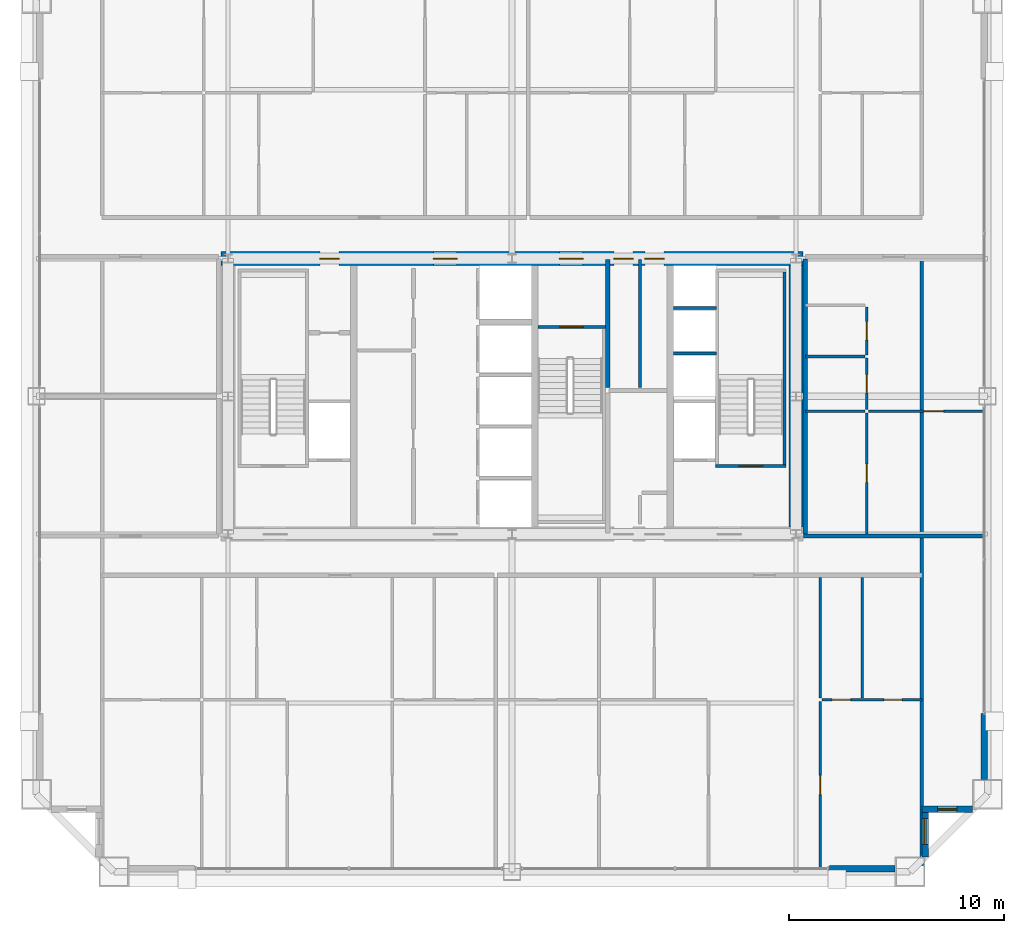
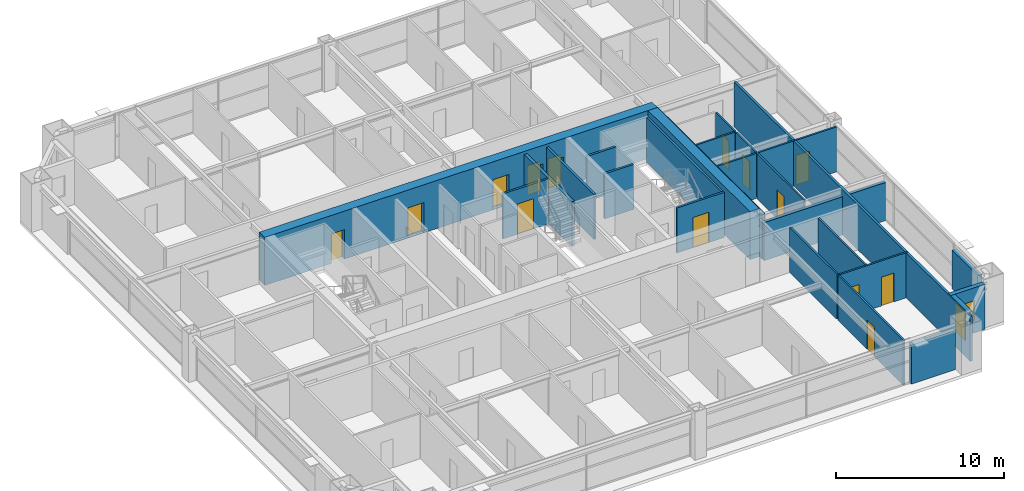
# One storey, part 35 of 38: 26 walls, 14 doors, 2 windows, 16 openings.
"""IFC4 building model written with IfcOpenShell, lengths in metres."""

from ifc_helpers import new_model, si_unit, direction, frame, frame_2d, origin, place, context, subcontext, project, spatial, rectangle, extrude, source, transform, mapped, material, layer, layer_set, type_object, element, fill, save


model = new_model("IFC4")

# Units and contexts
model_context = context("Model", 3, precision=1e-05, world=origin(), true_north=direction((0.0, 1.0)))
body_context = subcontext(model_context, "Body", "Model", "MODEL_VIEW")
ifc_project = project(units=[si_unit("LENGTHUNIT", "METRE"), si_unit("AREAUNIT", "SQUARE_METRE"), si_unit("VOLUMEUNIT", "CUBIC_METRE"), si_unit("PLANEANGLEUNIT", "RADIAN"), si_unit("MASSUNIT", "GRAM", prefix="KILO"), si_unit("THERMODYNAMICTEMPERATUREUNIT", "KELVIN"), si_unit("POWERUNIT", "WATT")], contexts=[model_context])

# Site, building, storey
site_placement = place(None, origin())
site = spatial("IfcSite", under=ifc_project, at=site_placement, CompositionType="ELEMENT")
building_placement = place(site_placement, origin())
building = spatial("IfcBuilding", under=site, at=building_placement, Name="Yuzanri Waterfront Tower", CompositionType="ELEMENT")
storey_placement = place(building_placement, frame((0.0, 0.0, 195.0)))
storey = spatial("IfcBuildingStorey", under=building, at=storey_placement, Name="L51", CompositionType="ELEMENT", Elevation=195.0)

# Wall, openings, doors
ifc_material_1 = material(Name="Moisture-Resistant Gypsum Stud Wall", Category="gypsum")
ifc_layer_1 = layer(ifc_material_1, 0.1201171875)
ifc_layer_set_1 = layer_set([ifc_layer_1], Name="Moisture-Resistant Gypsum Stud Wall")
wall_type_1 = type_object("IfcWallType", Name="Bathroom and Kitchen Wet Partition 120", PredefinedType="PARTITIONING", material=ifc_layer_set_1)
wall_1_placement = place(storey_placement, frame((51.4130859375, 11.699951171875, 0.0), z_axis=(0.0, 0.0, 1.0), x_axis=(1.0, 0.0, 0.0)))
wall_1 = element("IfcWall", 1, at=wall_1_placement, inside=storey, type_object=wall_type_1, Name="L51 Partition UW-L51-RS2-SUB-6-N", PredefinedType="PARTITIONING", context=body_context, shape_type="SweptSolid", body=[
    extrude(rectangle(XDim=4.64697265625, YDim=0.1201171875, at=frame_2d((2.323486328125, 0.0))), origin(), (0.0, 0.0, 1.0), 3.280029296875),
])
opening_1_placement = place(wall_1_placement, frame((2.8720703125, 0.0, 0.0)))
opening_1 = element("IfcOpeningElement", 2, at=opening_1_placement, cuts=wall_1, Name="Opening ID-0850", PredefinedType="OPENING", context=body_context, shape_type="SweptSolid", body=[
    extrude(rectangle(XDim=0.85009765625, YDim=2.10009765625, at=frame_2d((0.425048828125, 1.050048828125))), frame((0.0, 0.074951171875, 0.0), z_axis=(0.0, -1.0, 0.0), x_axis=(1.0, 0.0, 0.0)), (0.0, 0.0, 1.0), 0.14990234375),
])
opening_2_placement = place(wall_1_placement, frame((0.468505859375, 0.0, 0.0)))
opening_2 = element("IfcOpeningElement", 3, at=opening_2_placement, cuts=wall_1, Name="Opening ID-0850", PredefinedType="OPENING", context=body_context, shape_type="SweptSolid", body=[
    extrude(rectangle(XDim=0.85009765625, YDim=2.10009765625, at=frame_2d((0.425048828125, 1.050048828125))), frame((0.0, 0.074951171875, 0.0), z_axis=(0.0, -1.0, 0.0), x_axis=(1.0, 0.0, 0.0)), (0.0, 0.0, 1.0), 0.14990234375),
])
ifc_material_2 = material(Name="Moisture-Resistant Lacquered Timber", Category="wood")
door_type_1 = type_object("IfcDoorType", Name="En-Suite Bathroom and Kitchen Swing Door 850x2100", OperationType="NOTDEFINED", PredefinedType="DOOR", material=ifc_material_2)
shared_shape_1 = source(origin(), body_context, "Body", "SweptSolid", [
    extrude(rectangle(XDim=0.85009765625, YDim=2.10009765625, at=frame_2d((0.425048828125, 1.050048828125))), frame((0.0, 0.02490234375, 0.0), z_axis=(0.0, -1.0, 0.0), x_axis=(1.0, 0.0, 0.0)), (0.0, 0.0, 1.0), 0.050048828125),
])
door_1_placement = place(opening_1_placement, origin())
door_1 = element("IfcDoor", 4, at=door_1_placement, inside=storey, type_object=door_type_1, Name="L51 Suite Interior Room Door", OperationType="SINGLE_SWING_RIGHT", OverallHeight=2.10009765625, OverallWidth=0.85009765625, PredefinedType="DOOR", context=body_context, shape_type="MappedRepresentation", body=[
    mapped(shared_shape_1, transform((0.0, 0.0, 0.0), scale=1.0)),
])
fill(opening_1, door_1)
door_2_placement = place(opening_2_placement, origin())
door_2 = element("IfcDoor", 5, at=door_2_placement, inside=storey, type_object=door_type_1, Name="L51 Suite Interior Room Door", OperationType="SINGLE_SWING_LEFT", OverallHeight=2.10009765625, OverallWidth=0.85009765625, PredefinedType="DOOR", context=body_context, shape_type="MappedRepresentation", body=[
    mapped(shared_shape_1, transform((0.0, 0.0, 0.0), scale=1.0)),
])
fill(opening_2, door_2)

# Wall, opening, door
wall_2_placement = place(storey_placement, frame((51.3330078125, 3.85009765625, 0.0), z_axis=(0.0, 0.0, 1.0), x_axis=(0.0, 1.0, 0.0)))
wall_2 = element("IfcWall", 6, at=wall_2_placement, inside=storey, type_object=wall_type_1, Name="L51 Partition UW-L51-RS2-SUB-6-W", PredefinedType="PARTITIONING", context=body_context, shape_type="SweptSolid", body=[
    extrude(rectangle(XDim=7.77001953125, YDim=0.1201171875, at=frame_2d((3.885009765625, 0.0))), origin(), (0.0, 0.0, 1.0), 3.280029296875),
])
opening_3_placement = place(wall_2_placement, frame((3.43505859375, 0.0, 0.0)))
opening_3 = element("IfcOpeningElement", 7, at=opening_3_placement, cuts=wall_2, Name="Opening ID-0900", PredefinedType="OPENING", context=body_context, shape_type="SweptSolid", body=[
    extrude(rectangle(XDim=0.89990234375, YDim=2.14990234375, at=frame_2d((0.449951171875, 1.074951171875))), frame((0.0, 0.074951171875, 0.0), z_axis=(0.0, -1.0, 0.0), x_axis=(1.0, 0.0, 0.0)), (0.0, 0.0, 1.0), 0.14990234375),
])
ifc_material_3 = material(Name="Stained Walnut Veneer Timber", Category="wood")
door_type_2 = type_object("IfcDoorType", Name="Bedroom and Study Interior Swing Door 900x2150", OperationType="NOTDEFINED", PredefinedType="DOOR", material=ifc_material_3)
shared_shape_2 = source(origin(), body_context, "Body", "SweptSolid", [
    extrude(rectangle(XDim=0.89990234375, YDim=2.14990234375, at=frame_2d((0.449951171875, 1.074951171875))), frame((0.0, 0.02490234375, 0.0), z_axis=(0.0, -1.0, 0.0), x_axis=(1.0, 0.0, 0.0)), (0.0, 0.0, 1.0), 0.050048828125),
])
door_3_placement = place(opening_3_placement, origin())
door_3 = element("IfcDoor", 8, at=door_3_placement, inside=storey, type_object=door_type_2, Name="L51 Suite Interior Room Door", OperationType="SINGLE_SWING_LEFT", OverallHeight=2.14990234375, OverallWidth=0.89990234375, PredefinedType="DOOR", context=body_context, shape_type="MappedRepresentation", body=[
    mapped(shared_shape_2, transform((0.0, 0.0, 0.0), scale=1.0)),
])
fill(opening_3, door_3)

wall_3_placement = place(storey_placement, frame((53.47998046875, 25.193115234375, 0.0), z_axis=(0.0, 0.0, 1.0), x_axis=(0.0, 1.0, 0.0)))
wall_3 = element("IfcWall", 9, at=wall_3_placement, inside=storey, type_object=wall_type_1, Name="L51 Partition UW-L51-RE1-SUB-1-E", PredefinedType="PARTITIONING", context=body_context, shape_type="SweptSolid", body=[
    extrude(rectangle(XDim=2.37890625, YDim=0.1201171875, at=frame_2d((1.189453125, 0.0))), origin(), (0.0, 0.0, 1.0), 3.280029296875),
])
opening_4_placement = place(wall_3_placement, frame((0.764404296875, 0.0, 0.0)))
opening_4 = element("IfcOpeningElement", 10, at=opening_4_placement, cuts=wall_3, Name="Opening ID-0850", PredefinedType="OPENING", context=body_context, shape_type="SweptSolid", body=[
    extrude(rectangle(XDim=0.85009765625, YDim=2.10009765625, at=frame_2d((0.425048828125, 1.050048828125))), frame((0.0, 0.074951171875, 0.0), z_axis=(0.0, -1.0, 0.0), x_axis=(1.0, 0.0, 0.0)), (0.0, 0.0, 1.0), 0.14990234375),
])
door_4_placement = place(opening_4_placement, origin())
door_4 = element("IfcDoor", 11, at=door_4_placement, inside=storey, type_object=door_type_1, Name="L51 Suite Interior Room Door", OperationType="SINGLE_SWING_RIGHT", OverallHeight=2.10009765625, OverallWidth=0.85009765625, PredefinedType="DOOR", context=body_context, shape_type="MappedRepresentation", body=[
    mapped(shared_shape_1, transform((0.0, 0.0, 0.0), scale=1.0)),
])
fill(opening_4, door_4)

wall_4_placement = place(storey_placement, frame((53.47998046875, 27.73193359375, 0.0), z_axis=(0.0, 0.0, 1.0), x_axis=(0.0, 1.0, 0.0)))
wall_4 = element("IfcWall", 12, at=wall_4_placement, inside=storey, type_object=wall_type_1, Name="L51 Partition UW-L51-RE1-SUB-2-E", PredefinedType="PARTITIONING", context=body_context, shape_type="SweptSolid", body=[
    extrude(rectangle(XDim=2.218994140625, YDim=0.1201171875, at=frame_2d((1.109375, 0.0))), origin(), (0.0, 0.0, 1.0), 3.280029296875),
])
opening_5_placement = place(wall_4_placement, frame((0.6845703125, 0.0, 0.0)))
opening_5 = element("IfcOpeningElement", 13, at=opening_5_placement, cuts=wall_4, Name="Opening ID-0850", PredefinedType="OPENING", context=body_context, shape_type="SweptSolid", body=[
    extrude(rectangle(XDim=0.85009765625, YDim=2.10009765625, at=frame_2d((0.425048828125, 1.050048828125))), frame((0.0, 0.074951171875, 0.0), z_axis=(0.0, -1.0, 0.0), x_axis=(1.0, 0.0, 0.0)), (0.0, 0.0, 1.0), 0.14990234375),
])
door_5_placement = place(opening_5_placement, origin())
door_5 = element("IfcDoor", 14, at=door_5_placement, inside=storey, type_object=door_type_1, Name="L51 Suite Interior Room Door", OperationType="SINGLE_SWING_LEFT", OverallHeight=2.10009765625, OverallWidth=0.85009765625, PredefinedType="DOOR", context=body_context, shape_type="MappedRepresentation", body=[
    mapped(shared_shape_1, transform((0.0, 0.0, 0.0), scale=1.0)),
])
fill(opening_5, door_5)

wall_5_placement = place(storey_placement, frame((53.56005859375, 25.113037109375, 0.0), z_axis=(0.0, 0.0, 1.0), x_axis=(1.0, 0.0, 0.0)))
wall_5 = element("IfcWall", 15, at=wall_5_placement, inside=storey, type_object=wall_type_1, Name="L51 Partition UW-L51-RE1-SUB-3-N", PredefinedType="PARTITIONING", context=body_context, shape_type="SweptSolid", body=[
    extrude(rectangle(XDim=5.389892578125, YDim=0.1201171875, at=frame_2d((2.69482421875, 0.0))), origin(), (0.0, 0.0, 1.0), 3.280029296875),
])
opening_6_placement = place(wall_5_placement, frame((2.593994140625, 0.0, 0.0)))
opening_6 = element("IfcOpeningElement", 16, at=opening_6_placement, cuts=wall_5, Name="Opening ID-0900", PredefinedType="OPENING", context=body_context, shape_type="SweptSolid", body=[
    extrude(rectangle(XDim=0.89990234375, YDim=2.14990234375, at=frame_2d((0.449951171875, 1.074951171875))), frame((0.0, 0.074951171875, 0.0), z_axis=(0.0, -1.0, 0.0), x_axis=(1.0, 0.0, 0.0)), (0.0, 0.0, 1.0), 0.14990234375),
])
door_6_placement = place(opening_6_placement, origin())
door_6 = element("IfcDoor", 17, at=door_6_placement, inside=storey, type_object=door_type_2, Name="L51 Suite Interior Room Door", OperationType="SINGLE_SWING_RIGHT", OverallHeight=2.14990234375, OverallWidth=0.89990234375, PredefinedType="DOOR", context=body_context, shape_type="MappedRepresentation", body=[
    mapped(shared_shape_2, transform((0.0, 0.0, 0.0), scale=1.0)),
])
fill(opening_6, door_6)

wall_6_placement = place(storey_placement, frame((53.47998046875, 19.409912109375, 0.0), z_axis=(0.0, 0.0, 1.0), x_axis=(0.0, 1.0, 0.0)))
wall_6 = element("IfcWall", 18, at=wall_6_placement, inside=storey, type_object=wall_type_1, Name="L51 Partition UW-L51-RE1-SUB-3-W", PredefinedType="PARTITIONING", context=body_context, shape_type="SweptSolid", body=[
    extrude(rectangle(XDim=5.623046875, YDim=0.1201171875, at=frame_2d((2.8115234375, 0.0))), origin(), (0.0, 0.0, 1.0), 3.280029296875),
])
opening_7_placement = place(wall_6_placement, frame((2.386474609375, 0.0, 0.0)))
opening_7 = element("IfcOpeningElement", 19, at=opening_7_placement, cuts=wall_6, Name="Opening ID-0850", PredefinedType="OPENING", context=body_context, shape_type="SweptSolid", body=[
    extrude(rectangle(XDim=0.85009765625, YDim=2.10009765625, at=frame_2d((0.425048828125, 1.050048828125))), frame((0.0, 0.074951171875, 0.0), z_axis=(0.0, -1.0, 0.0), x_axis=(1.0, 0.0, 0.0)), (0.0, 0.0, 1.0), 0.14990234375),
])
door_7_placement = place(opening_7_placement, origin())
door_7 = element("IfcDoor", 20, at=door_7_placement, inside=storey, type_object=door_type_1, Name="L51 Suite Interior Room Door", OperationType="SINGLE_SWING_LEFT", OverallHeight=2.10009765625, OverallWidth=0.85009765625, PredefinedType="DOOR", context=body_context, shape_type="MappedRepresentation", body=[
    mapped(shared_shape_1, transform((0.0, 0.0, 0.0), scale=1.0)),
])
fill(opening_7, door_7)

# Wall, opening, window
ifc_material_4 = material(Name="Honed Chongqing Dark Basalt Stone", Category="masonry")
ifc_layer_2 = layer(ifc_material_4, 0.300048828125)
ifc_layer_set_2 = layer_set([ifc_layer_2], Name="Honed Chongqing Dark Basalt Stone")
wall_type_2 = type_object("IfcWallType", Name="Bronze Rainscreen Insulated Spandrel Portal Wall 300", PredefinedType="SOLIDWALL", material=ifc_layer_set_2)
wall_7_placement = place(storey_placement, frame((56.050048828125, 6.60009765625, 0.0), z_axis=(0.0, 0.0, 1.0), x_axis=(1.0, 0.0, 0.0)))
wall_7 = element("IfcWall", 21, at=wall_7_placement, inside=storey, type_object=wall_type_2, Name="L51 Notched Corner Masonry Wall SE-X", PredefinedType="SOLIDWALL", context=body_context, shape_type="SweptSolid", body=[
    extrude(rectangle(XDim=2.349853515625, YDim=0.300048828125, at=frame_2d((1.1748046875, 0.0))), origin(), (0.0, 0.0, 1.0), 3.280029296875),
])
opening_8_placement = place(wall_7_placement, frame((0.72509765625, 0.0, 0.85009765625)))
opening_8 = element("IfcOpeningElement", 22, at=opening_8_placement, cuts=wall_7, Name="Opening WN-05", PredefinedType="OPENING", context=body_context, shape_type="SweptSolid", body=[
    extrude(rectangle(XDim=0.89990234375, YDim=1.5, at=frame_2d((0.449951171875, 0.75))), frame((0.0, 0.1650390625, 0.0), z_axis=(0.0, -1.0, 0.0), x_axis=(1.0, 0.0, 0.0)), (0.0, 0.0, 1.0), 0.329833984375),
])
ifc_material_5 = material(Name="Double-Silver Low-E Insulated Glass", Category="glass")
window_type_1 = type_object("IfcWindowType", Name="Anodized Bronze Service and Stairwell Smoke-Vent Window 900x1500", PartitioningType="SINGLE_PANEL", PredefinedType="WINDOW", material=ifc_material_5)
shared_shape_3 = source(origin(), body_context, "Body", "SweptSolid", [
    extrude(rectangle(XDim=0.89990234375, YDim=1.5, at=frame_2d((0.449951171875, 0.75))), frame((0.0, 0.030029296875, 0.0), z_axis=(0.0, -1.0, 0.0), x_axis=(1.0, 0.0, 0.0)), (0.0, 0.0, 1.0), 0.06005859375),
])
window_1_placement = place(opening_8_placement, origin())
window_1 = element("IfcWindow", 23, at=window_1_placement, inside=storey, type_object=window_type_1, Name="L51 Notched Corner Window SE-X", OverallHeight=1.5, OverallWidth=0.89990234375, PartitioningType="SINGLE_PANEL", PredefinedType="WINDOW", context=body_context, shape_type="MappedRepresentation", body=[
    mapped(shared_shape_3, transform((0.0, 0.0, 0.0), scale=1.0)),
])
fill(opening_8, window_1)

wall_8_placement = place(storey_placement, frame((56.199951171875, 4.39990234375, 0.0), z_axis=(0.0, 0.0, 1.0), x_axis=(0.0, 1.0, 0.0)))
wall_8 = element("IfcWall", 24, at=wall_8_placement, inside=storey, type_object=wall_type_2, Name="L51 Notched Corner Masonry Wall SE-Y", PredefinedType="SOLIDWALL", context=body_context, shape_type="SweptSolid", body=[
    extrude(rectangle(XDim=2.35009765625, YDim=0.300048828125, at=frame_2d((1.175048828125, 0.0))), origin(), (0.0, 0.0, 1.0), 3.280029296875),
])
opening_9_placement = place(wall_8_placement, frame((0.574951171875, 0.0, 0.85009765625)))
opening_9 = element("IfcOpeningElement", 25, at=opening_9_placement, cuts=wall_8, Name="Opening WN-02", PredefinedType="OPENING", context=body_context, shape_type="SweptSolid", body=[
    extrude(rectangle(XDim=1.199951171875, YDim=2.10009765625, at=frame_2d((0.60009765625, 1.050048828125))), frame((0.0, 0.1650390625, 0.0), z_axis=(0.0, -1.0, 0.0), x_axis=(1.0, 0.0, 0.0)), (0.0, 0.0, 1.0), 0.329833984375),
])
ifc_material_6 = material(Name="Double-Silver Low-E Insulated Glass", Category="glass")
window_type_2 = type_object("IfcWindowType", Name="Anodized Bronze Notched Corner Deep-Set Slot Window 1200x2100", PartitioningType="SINGLE_PANEL", PredefinedType="WINDOW", material=ifc_material_6)
shared_shape_4 = source(origin(), body_context, "Body", "SweptSolid", [
    extrude(rectangle(XDim=1.199951171875, YDim=2.10009765625, at=frame_2d((0.60009765625, 1.050048828125))), frame((0.0, 0.030029296875, 0.0), z_axis=(0.0, -1.0, 0.0), x_axis=(1.0, 0.0, 0.0)), (0.0, 0.0, 1.0), 0.06005859375),
])
window_2_placement = place(opening_9_placement, origin())
window_2 = element("IfcWindow", 26, at=window_2_placement, inside=storey, type_object=window_type_2, Name="L51 Notched Corner Window SE-Y", OverallHeight=2.10009765625, OverallWidth=1.199951171875, PartitioningType="SINGLE_PANEL", PredefinedType="WINDOW", context=body_context, shape_type="MappedRepresentation", body=[
    mapped(shared_shape_4, transform((0.0, 0.0, 0.0), scale=1.0)),
])
fill(opening_9, window_2)

# Wall, openings, doors
ifc_material_7 = material(Name="Concrete C50", Category="concrete")
ifc_layer_3 = layer(ifc_material_7, 0.64990234375)
ifc_layer_set_3 = layer_set([ifc_layer_3], Name="Concrete C50")
wall_type_3 = type_object("IfcWallType", Name="Concrete C50 Mid Zone Core Shear Wall 650", PredefinedType="SHEAR", material=ifc_layer_set_3)
wall_9_placement = place(storey_placement, frame((23.47509765625, 32.199951171875, 0.0), z_axis=(0.0, 0.0, 1.0), x_axis=(1.0, 0.0, 0.0)))
wall_9 = element("IfcWall", 27, at=wall_9_placement, inside=storey, type_object=wall_type_3, Name="L51 Core North Shear Wall", PredefinedType="SHEAR", context=body_context, shape_type="SweptSolid", body=[
    extrude(rectangle(XDim=27.0498046875, YDim=0.64990234375, at=frame_2d((13.52490234375, 0.0))), origin(), (0.0, 0.0, 1.0), 3.5),
])
opening_10_placement = place(wall_9_placement, frame((4.594970703125, 0.0, 0.0)))
opening_10 = element("IfcOpeningElement", 28, at=opening_10_placement, cuts=wall_9, Name="Opening FD-0900", PredefinedType="OPENING", context=body_context, shape_type="SweptSolid", body=[
    extrude(rectangle(XDim=0.89990234375, YDim=2.14990234375, at=frame_2d((0.449951171875, 1.074951171875))), frame((0.0, 0.33984375, 0.0), z_axis=(0.0, -1.0, 0.0), x_axis=(1.0, 0.0, 0.0)), (0.0, 0.0, 1.0), 0.6796875),
])
opening_11_placement = place(wall_9_placement, frame((9.875, 0.0, 0.0)))
opening_11 = element("IfcOpeningElement", 29, at=opening_11_placement, cuts=wall_9, Name="Opening FD-1100", PredefinedType="OPENING", context=body_context, shape_type="SweptSolid", body=[
    extrude(rectangle(XDim=1.10009765625, YDim=2.199951171875, at=frame_2d((0.550048828125, 1.10009765625))), frame((0.0, 0.33984375, 0.0), z_axis=(0.0, -1.0, 0.0), x_axis=(1.0, 0.0, 0.0)), (0.0, 0.0, 1.0), 0.6796875),
])
opening_12_placement = place(wall_9_placement, frame((15.72509765625, 0.0, 0.0)))
opening_12 = element("IfcOpeningElement", 30, at=opening_12_placement, cuts=wall_9, Name="Opening FD-1100", PredefinedType="OPENING", context=body_context, shape_type="SweptSolid", body=[
    extrude(rectangle(XDim=1.10009765625, YDim=2.199951171875, at=frame_2d((0.550048828125, 1.10009765625))), frame((0.0, 0.33984375, 0.0), z_axis=(0.0, -1.0, 0.0), x_axis=(1.0, 0.0, 0.0)), (0.0, 0.0, 1.0), 0.6796875),
])
opening_13_placement = place(wall_9_placement, frame((18.2548828125, 0.0, 0.0)))
opening_13 = element("IfcOpeningElement", 31, at=opening_13_placement, cuts=wall_9, Name="Opening FD-0900", PredefinedType="OPENING", context=body_context, shape_type="SweptSolid", body=[
    extrude(rectangle(XDim=0.89990234375, YDim=2.14990234375, at=frame_2d((0.449951171875, 1.074951171875))), frame((0.0, 0.33984375, 0.0), z_axis=(0.0, -1.0, 0.0), x_axis=(1.0, 0.0, 0.0)), (0.0, 0.0, 1.0), 0.6796875),
])
opening_14_placement = place(wall_9_placement, frame((19.695068359375, 0.0, 0.0)))
opening_14 = element("IfcOpeningElement", 32, at=opening_14_placement, cuts=wall_9, Name="Opening FD-0900", PredefinedType="OPENING", context=body_context, shape_type="SweptSolid", body=[
    extrude(rectangle(XDim=0.89990234375, YDim=2.14990234375, at=frame_2d((0.449951171875, 1.074951171875))), frame((0.0, 0.33984375, 0.0), z_axis=(0.0, -1.0, 0.0), x_axis=(1.0, 0.0, 0.0)), (0.0, 0.0, 1.0), 0.6796875),
])
ifc_material_8 = material(Name="Painted Galvanized Fire Steel", Category="steel")
door_type_3 = type_object("IfcDoorType", Name="Smoke-Proof Stair and Lobby Fire Door 1100x2200", OperationType="NOTDEFINED", PredefinedType="DOOR", material=ifc_material_8)
shared_shape_5 = source(origin(), body_context, "Body", "SweptSolid", [
    extrude(rectangle(XDim=1.10009765625, YDim=2.199951171875, at=frame_2d((0.550048828125, 1.10009765625))), frame((0.0, 0.02490234375, 0.0), z_axis=(0.0, -1.0, 0.0), x_axis=(1.0, 0.0, 0.0)), (0.0, 0.0, 1.0), 0.050048828125),
])
door_8_placement = place(opening_11_placement, origin())
door_8 = element("IfcDoor", 33, at=door_8_placement, inside=storey, type_object=door_type_3, Name="L51 Central Lift Lobby North Door", OperationType="SINGLE_SWING_RIGHT", OverallHeight=2.199951171875, OverallWidth=1.10009765625, PredefinedType="DOOR", context=body_context, shape_type="MappedRepresentation", body=[
    mapped(shared_shape_5, transform((0.0, 0.0, 0.0), scale=1.0)),
])
fill(opening_11, door_8)
door_9_placement = place(opening_12_placement, origin())
door_9 = element("IfcDoor", 34, at=door_9_placement, inside=storey, type_object=door_type_3, Name="L51 North Stair Lobby Door", OperationType="SINGLE_SWING_LEFT", OverallHeight=2.199951171875, OverallWidth=1.10009765625, PredefinedType="DOOR", context=body_context, shape_type="MappedRepresentation", body=[
    mapped(shared_shape_5, transform((0.0, 0.0, 0.0), scale=1.0)),
])
fill(opening_12, door_9)
ifc_material_9 = material(Name="Painted Galvanized Fire Steel", Category="steel")
door_type_4 = type_object("IfcDoorType", Name="Riser and Service Room Fire Door 900x2150", OperationType="NOTDEFINED", PredefinedType="DOOR", material=ifc_material_9)
shared_shape_6 = source(origin(), body_context, "Body", "SweptSolid", [
    extrude(rectangle(XDim=0.89990234375, YDim=2.14990234375, at=frame_2d((0.449951171875, 1.074951171875))), frame((0.0, 0.02490234375, 0.0), z_axis=(0.0, -1.0, 0.0), x_axis=(1.0, 0.0, 0.0)), (0.0, 0.0, 1.0), 0.050048828125),
])
door_10_placement = place(opening_10_placement, origin())
door_10 = element("IfcDoor", 35, at=door_10_placement, inside=storey, type_object=door_type_4, Name="L51 Telecom Riser Door", OperationType="SINGLE_SWING_LEFT", OverallHeight=2.14990234375, OverallWidth=0.89990234375, PredefinedType="DOOR", context=body_context, shape_type="MappedRepresentation", body=[
    mapped(shared_shape_6, transform((0.0, 0.0, 0.0), scale=1.0)),
])
fill(opening_10, door_10)
door_11_placement = place(opening_13_placement, origin())
door_11 = element("IfcDoor", 36, at=door_11_placement, inside=storey, type_object=door_type_4, Name="L51 Common Store Room", OperationType="SINGLE_SWING_LEFT", OverallHeight=2.14990234375, OverallWidth=0.89990234375, PredefinedType="DOOR", context=body_context, shape_type="MappedRepresentation", body=[
    mapped(shared_shape_6, transform((0.0, 0.0, 0.0), scale=1.0)),
])
fill(opening_13, door_11)
door_12_placement = place(opening_14_placement, origin())
door_12 = element("IfcDoor", 37, at=door_12_placement, inside=storey, type_object=door_type_4, Name="L51 Linen Store Room", OperationType="SINGLE_SWING_RIGHT", OverallHeight=2.14990234375, OverallWidth=0.89990234375, PredefinedType="DOOR", context=body_context, shape_type="MappedRepresentation", body=[
    mapped(shared_shape_6, transform((0.0, 0.0, 0.0), scale=1.0)),
])
fill(opening_14, door_12)

# Wall, opening, door
ifc_material_10 = material(Name="Concrete C40", Category="concrete")
ifc_layer_4 = layer(ifc_material_10, 0.139892578125)
ifc_layer_set_4 = layer_set([ifc_layer_4], Name="Concrete C40")
wall_type_4 = type_object("IfcWallType", Name="Core Stair Liner and Hoistway Shaft Wall 140", PredefinedType="SOLIDWALL", material=ifc_layer_set_4)
wall_10_placement = place(storey_placement, frame((46.4599609375, 22.570068359375, 0.0), z_axis=(0.0, 0.0, 1.0), x_axis=(1.0, 0.0, 0.0)))
wall_10 = element("IfcWall", 38, at=wall_10_placement, inside=storey, type_object=wall_type_4, Name="L51 Shaft Wall STW-L51-ST-02-S", PredefinedType="SOLIDWALL", context=body_context, shape_type="SweptSolid", body=[
    extrude(rectangle(XDim=3.280029296875, YDim=0.139892578125, at=frame_2d((1.64013671875, 0.0))), origin(), (0.0, 0.0, 1.0), 3.280029296875),
])
opening_15_placement = place(wall_10_placement, frame((1.090087890625, 0.0, 0.0)))
opening_15 = element("IfcOpeningElement", 39, at=opening_15_placement, cuts=wall_10, Name="Opening FD-1100", PredefinedType="OPENING", context=body_context, shape_type="SweptSolid", body=[
    extrude(rectangle(XDim=1.10009765625, YDim=2.199951171875, at=frame_2d((0.550048828125, 1.10009765625))), frame((0.0, 0.0849609375, 0.0), z_axis=(0.0, -1.0, 0.0), x_axis=(1.0, 0.0, 0.0)), (0.0, 0.0, 1.0), 0.169677734375),
])
door_13_placement = place(opening_15_placement, origin())
door_13 = element("IfcDoor", 40, at=door_13_placement, inside=storey, type_object=door_type_3, Name="L51 Stair ST-02 Fire Door", OperationType="SINGLE_SWING_RIGHT", OverallHeight=2.199951171875, OverallWidth=1.10009765625, PredefinedType="DOOR", context=body_context, shape_type="MappedRepresentation", body=[
    mapped(shared_shape_5, transform((0.0, 0.0, 0.0), scale=1.0)),
])
fill(opening_15, door_13)

wall_11_placement = place(storey_placement, frame((38.199951171875, 29.030029296875, 0.0), z_axis=(0.0, 0.0, 1.0), x_axis=(1.0, 0.0, 0.0)))
wall_11 = element("IfcWall", 41, at=wall_11_placement, inside=storey, type_object=wall_type_4, Name="L51 Shaft Wall STW-L51-ST-03-N", PredefinedType="SOLIDWALL", context=body_context, shape_type="SweptSolid", body=[
    extrude(rectangle(XDim=3.14013671875, YDim=0.139892578125, at=frame_2d((1.570068359375, 0.0))), origin(), (0.0, 0.0, 1.0), 3.280029296875),
])
opening_16_placement = place(wall_11_placement, frame((1.02001953125, 0.0, 0.0)))
opening_16 = element("IfcOpeningElement", 42, at=opening_16_placement, cuts=wall_11, Name="Opening FD-1100", PredefinedType="OPENING", context=body_context, shape_type="SweptSolid", body=[
    extrude(rectangle(XDim=1.10009765625, YDim=2.199951171875, at=frame_2d((0.550048828125, 1.10009765625))), frame((0.0, 0.0849609375, 0.0), z_axis=(0.0, -1.0, 0.0), x_axis=(1.0, 0.0, 0.0)), (0.0, 0.0, 1.0), 0.169677734375),
])
door_14_placement = place(opening_16_placement, origin())
door_14 = element("IfcDoor", 43, at=door_14_placement, inside=storey, type_object=door_type_3, Name="L51 Stair ST-03 Fire Door", OperationType="SINGLE_SWING_LEFT", OverallHeight=2.199951171875, OverallWidth=1.10009765625, PredefinedType="DOOR", context=body_context, shape_type="MappedRepresentation", body=[
    mapped(shared_shape_5, transform((0.0, 0.0, 0.0), scale=1.0)),
])
fill(opening_16, door_14)

# Walls
shared_shape_7 = source(origin(), body_context, "Body", "SweptSolid", [
    extrude(rectangle(XDim=12.14990234375, YDim=0.64990234375, at=frame_2d((6.074951171875, 0.0))), origin(), (0.0, 0.0, 1.0), 3.5),
])
wall_12_placement = place(storey_placement, frame((50.199951171875, 19.72509765625, 0.0), z_axis=(0.0, 0.0, 1.0), x_axis=(0.0, 1.0, 0.0)))
element("IfcWall", 44, at=wall_12_placement, inside=storey, type_object=wall_type_3, Name="L51 Core East Shear Wall", PredefinedType="SHEAR", context=body_context, shape_type="MappedRepresentation", body=[
    mapped(shared_shape_7, transform((0.0, 0.0, 0.0), scale=1.0)),
])
shared_shape_8 = source(origin(), body_context, "Body", "SweptSolid", [
    extrude(rectangle(XDim=3.050048828125, YDim=0.300048828125, at=frame_2d((1.52490234375, 0.0))), origin(), (0.0, 0.0, 1.0), 2.8349609375),
])
for number, where, z_axis, x_axis, name in (
    (45, (51.75, 3.85009765625, 0.0), (0.0, 0.0, 1.0), (1.0, 0.0, 0.0), "L51 S Right Braced Masonry Shoulder"),
    (46, (58.949951171875, 8.0, 0.0), (0.0, 0.0, 1.0), (0.0, 1.0, 0.0), "L51 E Left Braced Masonry Shoulder"),
):
    element("IfcWall", number, at=place(storey_placement, frame(where, z_axis=z_axis, x_axis=x_axis)), inside=storey, type_object=wall_type_2, Name=name, PredefinedType="SOLIDWALL", context=body_context, shape_type="MappedRepresentation", body=[
        mapped(shared_shape_8, transform((0.0, 0.0, 0.0), scale=1.0)),
    ])
shared_shape_9 = source(origin(), body_context, "Body", "SweptSolid", [
    extrude(rectangle(XDim=2.0, YDim=0.139892578125, at=frame_2d((1.0, 0.0))), origin(), (0.0, 0.0, 1.0), 3.280029296875),
])
for number, where, z_axis, x_axis, name in (
    (47, (44.5, 27.800048828125, 0.0), (0.0, 0.0, 1.0), (1.0, 0.0, 0.0), "L51 Lift PL-09 Divider Wall"),
    (48, (44.5, 29.89990234375, 0.0), (0.0, 0.0, 1.0), (1.0, 0.0, 0.0), "L51 Lift PL-10 Divider Wall"),
):
    element("IfcWall", number, at=place(storey_placement, frame(where, z_axis=z_axis, x_axis=x_axis)), inside=storey, type_object=wall_type_4, Name=name, PredefinedType="SOLIDWALL", context=body_context, shape_type="MappedRepresentation", body=[
        mapped(shared_shape_9, transform((0.0, 0.0, 0.0), scale=1.0)),
    ])
shared_shape_10 = source(origin(), body_context, "Body", "SweptSolid", [
    extrude(rectangle(XDim=8.940185546875, YDim=0.139892578125, at=frame_2d((4.47021484375, 0.0))), origin(), (0.0, 0.0, 1.0), 3.280029296875),
])
wall_13_placement = place(storey_placement, frame((49.669921875, 22.639892578125, 0.0), z_axis=(0.0, 0.0, 1.0), x_axis=(0.0, 1.0, 0.0)))
element("IfcWall", 49, at=wall_13_placement, inside=storey, type_object=wall_type_4, Name="L51 Stair ST-02 East Shaft Wall", PredefinedType="SOLIDWALL", context=body_context, shape_type="MappedRepresentation", body=[
    mapped(shared_shape_10, transform((0.0, 0.0, 0.0), scale=1.0)),
])
ifc_material_11 = material(Name="Autoclaved Aerated Concrete Blockwork", Category="masonry")
ifc_layer_5 = layer(ifc_material_11, 0.199951171875)
ifc_layer_set_5 = layer_set([ifc_layer_5], Name="Autoclaved Aerated Concrete Blockwork")
wall_type_5 = type_object("IfcWallType", Name="Corridor and Unit Party Fire Wall 200", PredefinedType="PARTITIONING", material=ifc_layer_set_5)
shared_shape_11 = source(origin(), body_context, "Body", "SweptSolid", [
    extrude(rectangle(XDim=8.39990234375, YDim=0.199951171875, at=frame_2d((4.199951171875, 0.0))), origin(), (0.0, 0.0, 1.0), 2.77490234375),
])
wall_14_placement = place(storey_placement, frame((50.550048828125, 19.31005859375, 0.0), z_axis=(0.0, 0.0, 1.0), x_axis=(1.0, 0.0, 0.0)))
element("IfcWall", 50, at=wall_14_placement, inside=storey, type_object=wall_type_5, Name="L51-RE1 Wing South Wall", PredefinedType="PARTITIONING", context=body_context, shape_type="MappedRepresentation", body=[
    mapped(shared_shape_11, transform((0.0, 0.0, 0.0), scale=1.0)),
])
shared_shape_12 = source(origin(), body_context, "Body", "SweptSolid", [
    extrude(rectangle(XDim=12.780029296875, YDim=0.199951171875, at=frame_2d((6.39013671875, 0.0))), origin(), (0.0, 0.0, 1.0), 3.280029296875),
])
wall_15_placement = place(storey_placement, frame((50.6298828125, 19.409912109375, 0.0), z_axis=(0.0, 0.0, 1.0), x_axis=(0.0, 1.0, 0.0)))
element("IfcWall", 51, at=wall_15_placement, inside=storey, type_object=wall_type_5, Name="L51-RE1 Wing Inner Core-Side Wall", PredefinedType="PARTITIONING", context=body_context, shape_type="MappedRepresentation", body=[
    mapped(shared_shape_12, transform((0.0, 0.0, 0.0), scale=1.0)),
])
shared_shape_13 = source(origin(), body_context, "Body", "SweptSolid", [
    extrude(rectangle(XDim=2.75, YDim=0.1201171875, at=frame_2d((1.375, 0.0))), origin(), (0.0, 0.0, 1.0), 3.280029296875),
])
for number, where, z_axis, x_axis, name in (
    (52, (50.64990234375, 25.113037109375, 0.0), (0.0, 0.0, 1.0), (1.0, 0.0, 0.0), "L51 Partition UW-L51-RE1-SUB-1-S"),
    (53, (50.64990234375, 27.652099609375, 0.0), (0.0, 0.0, 1.0), (1.0, 0.0, 0.0), "L51 Partition UW-L51-RE1-SUB-1-N"),
):
    element("IfcWall", number, at=place(storey_placement, frame(where, z_axis=z_axis, x_axis=x_axis)), inside=storey, type_object=wall_type_1, Name=name, PredefinedType="PARTITIONING", context=body_context, shape_type="MappedRepresentation", body=[
        mapped(shared_shape_13, transform((0.0, 0.0, 0.0), scale=1.0)),
    ])
shared_shape_14 = source(origin(), body_context, "Body", "SweptSolid", [
    extrude(rectangle(XDim=5.9599609375, YDim=0.199951171875, at=frame_2d((2.97998046875, 0.0))), origin(), (0.0, 0.0, 1.0), 3.280029296875),
])
wall_16_placement = place(storey_placement, frame((41.449951171875, 26.199951171875, 0.0), z_axis=(0.0, 0.0, 1.0), x_axis=(0.0, 1.0, 0.0)))
element("IfcWall", 54, at=wall_16_placement, inside=storey, type_object=wall_type_5, Name="L51 Core BOH West Wall 2", PredefinedType="PARTITIONING", context=body_context, shape_type="MappedRepresentation", body=[
    mapped(shared_shape_14, transform((0.0, 0.0, 0.0), scale=1.0)),
])
ifc_material_12 = material(Name="Gypsum Fireboard Acoustic Stud Wall", Category="gypsum")
ifc_layer_6 = layer(ifc_material_12, 0.159912109375)
ifc_layer_set_6 = layer_set([ifc_layer_6], Name="Gypsum Fireboard Acoustic Stud Wall")
wall_type_6 = type_object("IfcWallType", Name="Acoustic Suite Demising Partition 160", PredefinedType="PARTITIONING", material=ifc_layer_set_6)
shared_shape_15 = source(origin(), body_context, "Body", "SweptSolid", [
    extrude(rectangle(XDim=5.9599609375, YDim=0.159912109375, at=frame_2d((2.97998046875, 0.0))), origin(), (0.0, 0.0, 1.0), 3.280029296875),
])
wall_17_placement = place(storey_placement, frame((42.949951171875, 26.199951171875, 0.0), z_axis=(0.0, 0.0, 1.0), x_axis=(0.0, 1.0, 0.0)))
element("IfcWall", 55, at=wall_17_placement, inside=storey, type_object=wall_type_6, Name="L51 Core BOH Mid Wall 3", PredefinedType="PARTITIONING", context=body_context, shape_type="MappedRepresentation", body=[
    mapped(shared_shape_15, transform((0.0, 0.0, 0.0), scale=1.0)),
])
shared_shape_16 = source(origin(), body_context, "Body", "SweptSolid", [
    extrude(rectangle(XDim=5.60986328125, YDim=0.1201171875, at=frame_2d((2.804931640625, 0.0))), origin(), (0.0, 0.0, 1.0), 3.280029296875),
])
for number, where, z_axis, x_axis, name in (
    (56, (53.280029296875, 11.780029296875, 0.0), (0.0, 0.0, 1.0), (0.0, 1.0, 0.0), "L51 Partition UW-L51-RS2-SUB-3-W"),
    (57, (51.3330078125, 11.780029296875, 0.0), (0.0, 0.0, 1.0), (0.0, 1.0, 0.0), "L51 Partition UW-L51-RS2-SUB-4-W"),
):
    element("IfcWall", number, at=place(storey_placement, frame(where, z_axis=z_axis, x_axis=x_axis)), inside=storey, type_object=wall_type_1, Name=name, PredefinedType="PARTITIONING", context=body_context, shape_type="MappedRepresentation", body=[
        mapped(shared_shape_16, transform((0.0, 0.0, 0.0), scale=1.0)),
    ])
shared_shape_17 = source(origin(), body_context, "Body", "SweptSolid", [
    extrude(rectangle(XDim=28.18994140625, YDim=0.159912109375, at=frame_2d((14.094970703125, 0.0))), origin(), (0.0, 0.0, 1.0), 3.280029296875),
])
wall_18_placement = place(storey_placement, frame((56.050048828125, 4.0, 0.0), z_axis=(0.0, 0.0, 1.0), x_axis=(0.0, 1.0, 0.0)))
element("IfcWall", 58, at=wall_18_placement, inside=storey, type_object=wall_type_6, Name="L51 South Band East End Wall", PredefinedType="PARTITIONING", context=body_context, shape_type="MappedRepresentation", body=[
    mapped(shared_shape_17, transform((0.0, 0.0, 0.0), scale=1.0)),
])

save(model, "model.ifc")
